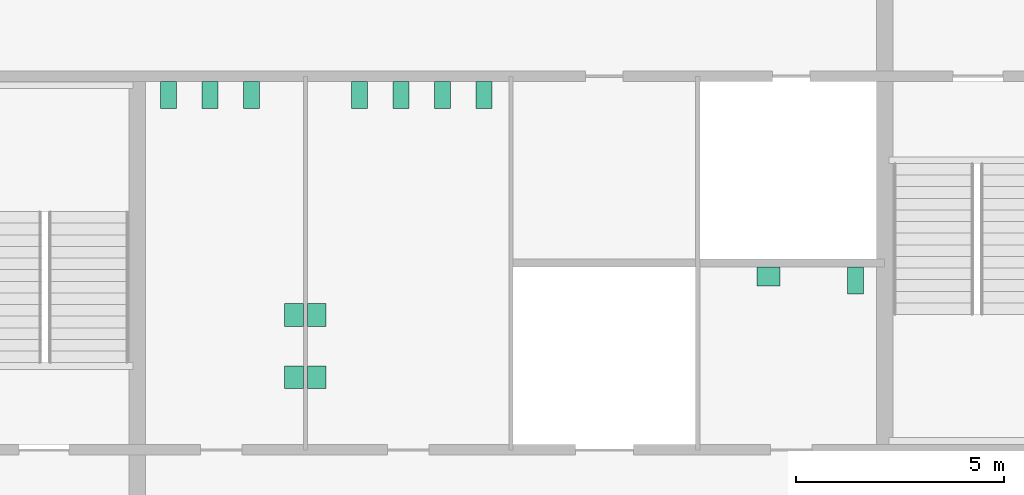
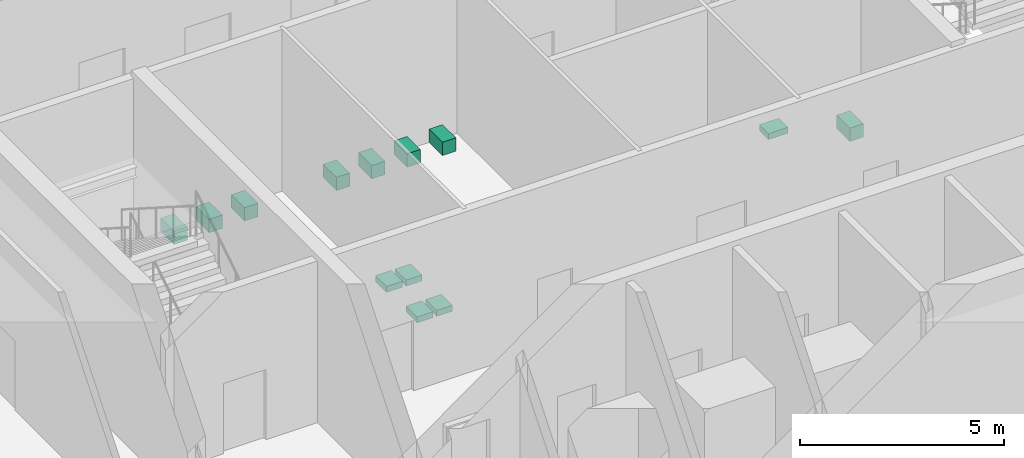
# One storey, part 11 of 12: 13 sanitary terminals.
"""IFC4 building model written with IfcOpenShell, lengths in metres."""

from ifc_helpers import new_model, si_unit, direction, frame, origin, origin_2d, place, context, subcontext, project, spatial, rectangle, extrude, material, type_object, element, save


model = new_model("IFC4")

# Units and contexts
model_context = context("Model", 3, precision=1e-05, world=origin(), true_north=direction((0.0, 1.0)))
body_context = subcontext(model_context, "Body", "Model", "MODEL_VIEW")
ifc_project = project(units=[si_unit("LENGTHUNIT", "METRE"), si_unit("AREAUNIT", "SQUARE_METRE"), si_unit("VOLUMEUNIT", "CUBIC_METRE"), si_unit("PLANEANGLEUNIT", "RADIAN"), si_unit("MASSUNIT", "GRAM", prefix="KILO")], contexts=[model_context])

# Site, building, storey
site_placement = place(None, origin())
site = spatial("IfcSite", under=ifc_project, at=site_placement, CompositionType="ELEMENT")
building_placement = place(site_placement, origin())
building = spatial("IfcBuilding", under=site, at=building_placement, Name="Corais Broadcast Tower", CompositionType="ELEMENT")
storey_placement = place(building_placement, frame((0.0, 0.0, 110.60009765625)))
storey = spatial("IfcBuildingStorey", under=building, at=storey_placement, Name="L24", CompositionType="ELEMENT", Elevation=110.60009765625)

# Sanitary terminals
ifc_material_1 = material(Name="Vitreous china", Category="ceramic")
sanitary_terminal_type_1 = type_object("IfcSanitaryTerminalType", Name="WC pan 380x650", PredefinedType="TOILETPAN", material=ifc_material_1)
for number, where, z_axis, x_axis, name in (
    (1, (18.75, 31.050048828125, 0.0), (0.0, 0.0, 1.0), (1.0, 0.0, 0.0), "SW1 WC pan, male toilets L24"),
    (2, (19.75, 31.050048828125, 0.0), (0.0, 0.0, 1.0), (1.0, 0.0, 0.0), "SW1 WC pan, male toilets L24"),
    (3, (20.75, 31.050048828125, 0.0), (0.0, 0.0, 1.0), (1.0, 0.0, 0.0), "SW1 WC pan, male toilets L24"),
    (4, (23.35009765625, 31.050048828125, 0.0), (0.0, 0.0, 1.0), (1.0, 0.0, 0.0), "SW1 WC pan, female toilets L24"),
    (5, (24.35009765625, 31.050048828125, 0.0), (0.0, 0.0, 1.0), (1.0, 0.0, 0.0), "SW1 WC pan, female toilets L24"),
    (6, (25.35009765625, 31.050048828125, 0.0), (0.0, 0.0, 1.0), (1.0, 0.0, 0.0), "SW1 WC pan, female toilets L24"),
    (7, (26.35009765625, 31.050048828125, 0.0), (0.0, 0.0, 1.0), (1.0, 0.0, 0.0), "SW1 WC pan, female toilets L24"),
    (8, (35.300048828125, 26.574951171875, 0.0), (0.0, 0.0, 1.0), (1.0, 0.0, 0.0), "SW1 WC pan, accessible WC L24"),
):
    element("IfcSanitaryTerminal", number, at=place(storey_placement, frame(where, z_axis=z_axis, x_axis=x_axis)), inside=storey, type_object=sanitary_terminal_type_1, Name=name, PredefinedType="TOILETPAN", context=body_context, shape_type="SweptSolid", body=[
        extrude(rectangle(XDim=0.3798828125, YDim=0.64990234375, at=origin_2d()), origin(), (0.0, 0.0, 1.0), 0.39990234375),
    ])
ifc_material_2 = material(Name="Vitreous china", Category="ceramic")
sanitary_terminal_type_2 = type_object("IfcSanitaryTerminalType", Name="Wash basin 550x450", PredefinedType="WASHHANDBASIN", material=ifc_material_2)
for number, where, z_axis, x_axis, name in (
    (9, (21.77490234375, 24.25, 0.69970703125), (0.0, 0.0, 1.0), (1.0, 0.0, 0.0), "WB1 wash basin, male toilets L24"),
    (10, (21.77490234375, 25.75, 0.69970703125), (0.0, 0.0, 1.0), (1.0, 0.0, 0.0), "WB1 wash basin, male toilets L24"),
    (11, (22.324951171875, 24.25, 0.69970703125), (0.0, 0.0, 1.0), (1.0, 0.0, 0.0), "WB1 wash basin, female toilets L24"),
    (12, (22.324951171875, 25.75, 0.69970703125), (0.0, 0.0, 1.0), (1.0, 0.0, 0.0), "WB1 wash basin, female toilets L24"),
):
    element("IfcSanitaryTerminal", number, at=place(storey_placement, frame(where, z_axis=z_axis, x_axis=x_axis)), inside=storey, type_object=sanitary_terminal_type_2, Name=name, PredefinedType="WASHHANDBASIN", context=body_context, shape_type="SweptSolid", body=[
        extrude(rectangle(XDim=0.449951171875, YDim=0.550048828125, at=origin_2d()), origin(), (0.0, 0.0, 1.0), 0.179931640625),
    ])
sanitary_terminal_placement = place(storey_placement, frame((33.199951171875, 26.675048828125, 0.69970703125), z_axis=(0.0, 0.0, 1.0), x_axis=(1.0, 0.0, 0.0)))
element("IfcSanitaryTerminal", 13, at=sanitary_terminal_placement, inside=storey, type_object=sanitary_terminal_type_2, Name="WB1 wash basin, accessible WC L24", PredefinedType="WASHHANDBASIN", context=body_context, shape_type="SweptSolid", body=[
    extrude(rectangle(XDim=0.550048828125, YDim=0.449951171875, at=origin_2d()), origin(), (0.0, 0.0, 1.0), 0.179931640625),
])

save(model, "model.ifc")
